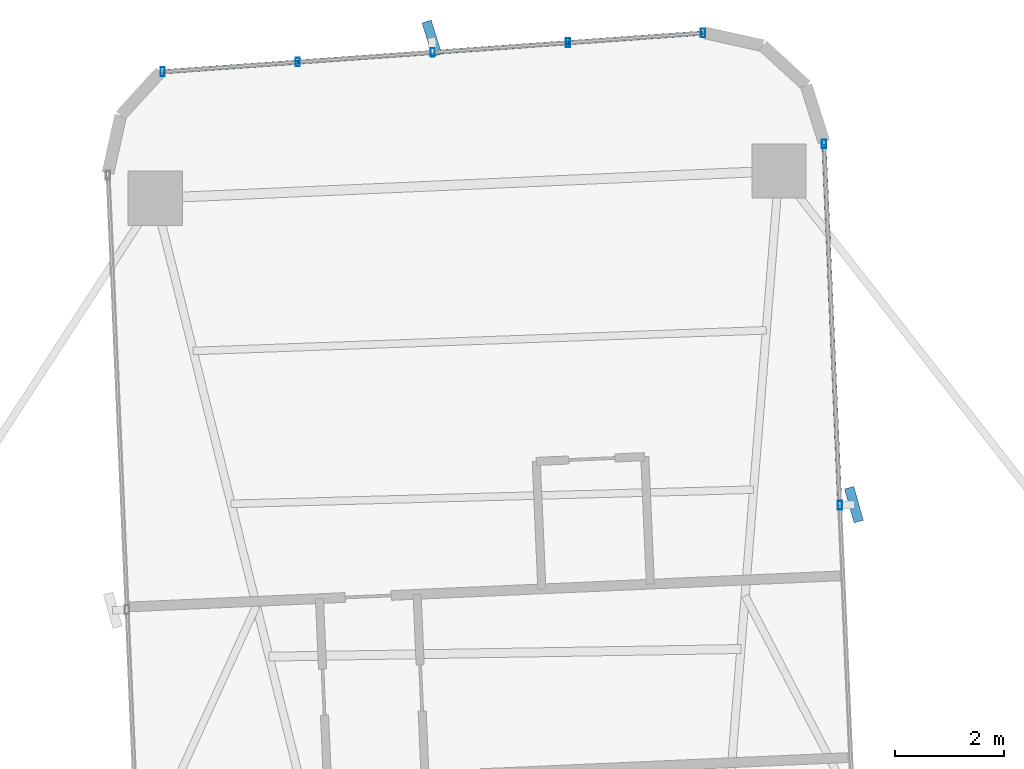
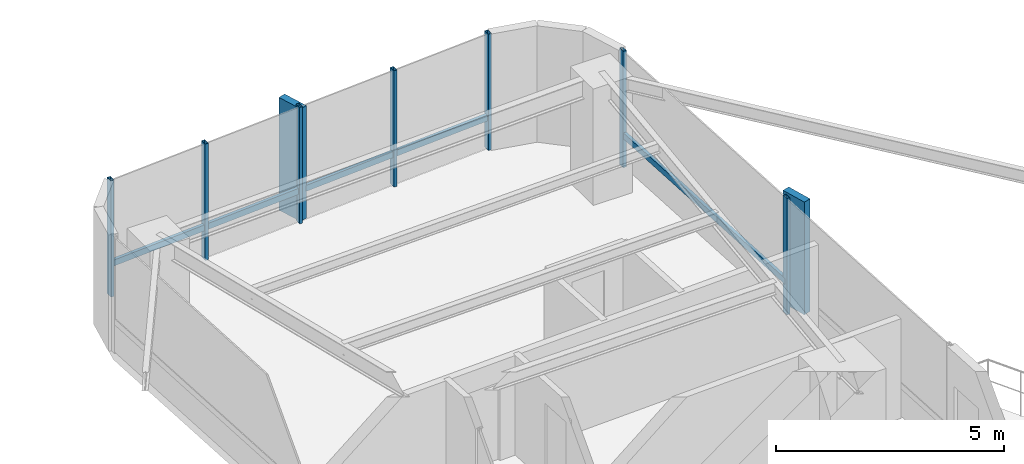
# One storey, part 19 of 26: 14 members, 2 elements without a shape of their own.
"""IFC4 building model written with IfcOpenShell, lengths in metres."""

from ifc_helpers import new_model, si_unit, direction, frame, origin, origin_2d, place, context, subcontext, project, spatial, rectangle, hollow_rectangle, extrude, source, transform, mapped, material, material_profile, profile_set, type_object, element, aggregate, save


model = new_model("IFC4")

# Units and contexts
model_context = context("Model", 3, precision=1e-05, world=origin(), true_north=direction((0.0, 1.0)))
body_context = subcontext(model_context, "Body", "Model", "MODEL_VIEW")
ifc_project = project(units=[si_unit("LENGTHUNIT", "METRE"), si_unit("AREAUNIT", "SQUARE_METRE"), si_unit("VOLUMEUNIT", "CUBIC_METRE"), si_unit("PLANEANGLEUNIT", "RADIAN"), si_unit("MASSUNIT", "GRAM", prefix="KILO")], contexts=[model_context])

# Site, building, storey
site_placement = place(None, origin())
site = spatial("IfcSite", under=ifc_project, at=site_placement, CompositionType="ELEMENT")
building_placement = place(site_placement, origin())
building = spatial("IfcBuilding", under=site, at=building_placement, Name="Sahyath Konkavel Grand Hotel", CompositionType="ELEMENT")
storey_placement = place(building_placement, frame((0.0, 0.0, 86.85009765625)))
storey = spatial("IfcBuildingStorey", under=building, at=storey_placement, Name="L23", CompositionType="ELEMENT", Elevation=86.85009765625)

# Curtain wall, members
ifc_material_1 = material(Name="Anodised Bronze Aluminium & Low-E Glazing", Category="aluminium")
curtain_wall_type = type_object("IfcCurtainWallType", Name="CW-ZONE2", PredefinedType="NOTDEFINED", material=ifc_material_1)
curtain_wall_1_placement = place(storey_placement, origin())
curtain_wall_1 = element("IfcCurtainWall", 1, at=curtain_wall_1_placement, inside=storey, type_object=curtain_wall_type, Name="L23 Unitised Curtain Wall F8", PredefinedType="NOTDEFINED")
ifc_material_2 = material(Name="Anodised Bronze Aluminium", Category="aluminium")
ifc_material_profile_1 = material_profile(ifc_material_2, hollow_rectangle(XDim=0.080078125, YDim=0.159912109375, WallThickness=0.006103515625, at=origin_2d()), Name="RHS 160x80x6")
ifc_profile_set_1 = profile_set([ifc_material_profile_1], Name="Anodised Bronze Aluminium")
member_type_1 = type_object("IfcMemberType", Name="CW-MUL-160", PredefinedType="MULLION", material=ifc_profile_set_1)
shared_shape_1 = source(origin(), body_context, "Body", "SweptSolid", [
    extrude(hollow_rectangle(XDim=0.080078125, YDim=0.159912109375, WallThickness=0.006103515625, at=origin_2d()), origin(), (0.0, 0.0, 1.0), 3.10986328125),
])
member_1_placement = place(storey_placement, frame((5.895751953125, 16.272705078125, 0.0), z_axis=(0.0, 0.0, 1.0), x_axis=(1.0, 0.0, 0.0)))
member_1 = element("IfcMember", 2, at=member_1_placement, type_object=member_type_1, Name="L23 Curtain Wall Mullion F8-1", PredefinedType="MULLION", context=body_context, shape_type="MappedRepresentation", body=[
    mapped(shared_shape_1, transform((0.0, 0.0, 0.0), scale=1.0)),
])
member_2_placement = place(storey_placement, frame((5.605224609375, 22.92626953125, 0.0), z_axis=(0.0, 0.0, 1.0), x_axis=(1.0, 0.0, 0.0)))
member_2 = element("IfcMember", 3, at=member_2_placement, type_object=member_type_1, Name="L23 Curtain Wall Mullion F8-2", PredefinedType="MULLION", context=body_context, shape_type="MappedRepresentation", body=[
    mapped(shared_shape_1, transform((0.0, 0.0, 0.0), scale=1.0)),
])

curtain_wall_2_placement = place(storey_placement, origin())
curtain_wall_2 = element("IfcCurtainWall", 4, at=curtain_wall_2_placement, inside=storey, type_object=curtain_wall_type, Name="L23 Unitised Curtain Wall F12", PredefinedType="NOTDEFINED")
member_3_placement = place(storey_placement, frame((3.3740234375, 24.9697265625, 0.0), z_axis=(0.0, 0.0, 1.0), x_axis=(1.0, 0.0, 0.0)))
member_3 = element("IfcMember", 5, at=member_3_placement, type_object=member_type_1, Name="L23 Curtain Wall Mullion F12-0", PredefinedType="MULLION", context=body_context, shape_type="MappedRepresentation", body=[
    mapped(shared_shape_1, transform((0.0, 0.0, 0.0), scale=1.0)),
])
member_4_placement = place(storey_placement, frame((0.886962890625, 24.79150390625, 0.0), z_axis=(0.0, 0.0, 1.0), x_axis=(1.0, 0.0, 0.0)))
member_4 = element("IfcMember", 6, at=member_4_placement, type_object=member_type_1, Name="L23 Curtain Wall Mullion F12-1", PredefinedType="MULLION", context=body_context, shape_type="MappedRepresentation", body=[
    mapped(shared_shape_1, transform((0.0, 0.0, 0.0), scale=1.0)),
])
member_5_placement = place(storey_placement, frame((-1.60009765625, 24.61279296875, 0.0), z_axis=(0.0, 0.0, 1.0), x_axis=(1.0, 0.0, 0.0)))
member_5 = element("IfcMember", 7, at=member_5_placement, type_object=member_type_1, Name="L23 Curtain Wall Mullion F12-2", PredefinedType="MULLION", context=body_context, shape_type="MappedRepresentation", body=[
    mapped(shared_shape_1, transform((0.0, 0.0, 0.0), scale=1.0)),
])
member_6_placement = place(storey_placement, frame((-4.087158203125, 24.4345703125, 0.0), z_axis=(0.0, 0.0, 1.0), x_axis=(1.0, 0.0, 0.0)))
member_6 = element("IfcMember", 8, at=member_6_placement, type_object=member_type_1, Name="L23 Curtain Wall Mullion F12-3", PredefinedType="MULLION", context=body_context, shape_type="MappedRepresentation", body=[
    mapped(shared_shape_1, transform((0.0, 0.0, 0.0), scale=1.0)),
])
member_7_placement = place(storey_placement, frame((-6.57421875, 24.256103515625, 0.0), z_axis=(0.0, 0.0, 1.0), x_axis=(1.0, 0.0, 0.0)))
member_7 = element("IfcMember", 9, at=member_7_placement, type_object=member_type_1, Name="L23 Curtain Wall Mullion F12-4", PredefinedType="MULLION", context=body_context, shape_type="MappedRepresentation", body=[
    mapped(shared_shape_1, transform((0.0, 0.0, 0.0), scale=1.0)),
])

# Member
ifc_material_3 = material(Name="Warm Buff Sandstone Cladding on Concrete C50/60", Category="masonry")
ifc_material_profile_2 = material_profile(ifc_material_3, rectangle(XDim=0.179931640625, YDim=0.64990234375, at=origin_2d()), Name="FIN 180x650")
ifc_profile_set_2 = profile_set([ifc_material_profile_2], Name="Warm Buff Sandstone Cladding on Concrete C50/60")
member_type_2 = type_object("IfcMemberType", Name="FIN-SANDSTONE-650", PredefinedType="MULLION", material=ifc_profile_set_2)
shared_shape_2 = source(origin(), body_context, "Body", "SweptSolid", [
    extrude(rectangle(XDim=0.179931640625, YDim=0.64990234375, at=origin_2d()), origin(), (0.0, 0.0, 1.0), 3.010009765625),
])
member_8_placement = place(storey_placement, frame((6.155517578125, 16.283935546875, 0.0498046875), z_axis=(0.0, 0.0, 1.0), x_axis=(0.962360427228, 0.271776393577, 0.0)))
member_8 = element("IfcMember", 10, at=member_8_placement, type_object=member_type_2, Name="L23 Sandstone Vertical Solar Fin FIN F8-1", PredefinedType="MULLION", context=body_context, shape_type="MappedRepresentation", body=[
    mapped(shared_shape_2, transform((0.0, 0.0, 0.0), scale=1.0)),
])

member_9_placement = place(storey_placement, frame((-1.61865234375, 24.872314453125, 0.0498046875), z_axis=(0.0, 0.0, 1.0), x_axis=(0.954812686667, 0.297208232354, 0.0)))
member_9 = element("IfcMember", 11, at=member_9_placement, type_object=member_type_2, Name="L23 Sandstone Vertical Solar Fin FIN F12-2", PredefinedType="MULLION", context=body_context, shape_type="MappedRepresentation", body=[
    mapped(shared_shape_2, transform((0.0, 0.0, 0.0), scale=1.0)),
])

ifc_material_profile_3 = material_profile(ifc_material_2, hollow_rectangle(XDim=0.080078125, YDim=0.159912109375, WallThickness=0.006103515625, at=origin_2d()), Name="RHS 160x80x6")
ifc_profile_set_3 = profile_set([ifc_material_profile_3], Name="Anodised Bronze Aluminium")
member_type_3 = type_object("IfcMemberType", Name="CW-TRN-160", PredefinedType="USERDEFINED", material=ifc_profile_set_3)
shared_shape_3 = source(origin(), body_context, "Body", "SweptSolid", [
    extrude(hollow_rectangle(XDim=0.080078125, YDim=0.159912109375, WallThickness=0.006103515625, at=origin_2d()), origin(), (0.0, 0.0, 1.0), 2.493408203125),
])
member_10_placement = place(storey_placement, frame((3.3740234375, 24.9697265625, 0.849853515625), z_axis=(-0.997442271688, -0.071476672066, 0.0), x_axis=(0.071476672066, -0.997442271688, 0.0)))
member_10 = element("IfcMember", 12, at=member_10_placement, type_object=member_type_3, Name="L23 Curtain Wall Transom F12-0-spandrel", ObjectType="TRANSOM", PredefinedType="USERDEFINED", context=body_context, shape_type="MappedRepresentation", body=[
    mapped(shared_shape_3, transform((0.0, 0.0, 0.0), scale=1.0)),
])

member_11_placement = place(storey_placement, frame((0.886962890625, 24.79150390625, 0.849853515625), z_axis=(-0.997428291631, -0.071671494009, 0.0), x_axis=(0.071671494009, -0.997428291631, 0.0)))
member_11 = element("IfcMember", 13, at=member_11_placement, type_object=member_type_3, Name="L23 Curtain Wall Transom F12-1-spandrel", ObjectType="TRANSOM", PredefinedType="USERDEFINED", context=body_context, shape_type="MappedRepresentation", body=[
    mapped(shared_shape_3, transform((0.0, 0.0, 0.0), scale=1.0)),
])

member_12_placement = place(storey_placement, frame((-1.60009765625, 24.61279296875, 0.849853515625), z_axis=(-0.997442271688, -0.071476672066, 0.0), x_axis=(0.071476672066, -0.997442271688, 0.0)))
member_12 = element("IfcMember", 14, at=member_12_placement, type_object=member_type_3, Name="L23 Curtain Wall Transom F12-2-spandrel", ObjectType="TRANSOM", PredefinedType="USERDEFINED", context=body_context, shape_type="MappedRepresentation", body=[
    mapped(shared_shape_3, transform((0.0, 0.0, 0.0), scale=1.0)),
])

member_13_placement = place(storey_placement, frame((-4.087158203125, 24.4345703125, 0.849853515625), z_axis=(-0.997435286367, -0.071574084062, 0.0), x_axis=(0.071574084062, -0.997435286367, 0.0)))
member_13 = element("IfcMember", 15, at=member_13_placement, type_object=member_type_3, Name="L23 Curtain Wall Transom F12-3-spandrel", ObjectType="TRANSOM", PredefinedType="USERDEFINED", context=body_context, shape_type="MappedRepresentation", body=[
    mapped(shared_shape_3, transform((0.0, 0.0, 0.0), scale=1.0)),
])

aggregate(curtain_wall_2, [member_3, member_4, member_5, member_9, member_6, member_7, member_10, member_11, member_12, member_13])

shared_shape_4 = source(origin(), body_context, "Body", "SweptSolid", [
    extrude(hollow_rectangle(XDim=0.080078125, YDim=0.159912109375, WallThickness=0.006103515625, at=origin_2d()), origin(), (0.0, 0.0, 1.0), 6.659912109375),
])
member_14_placement = place(storey_placement, frame((5.895751953125, 16.272705078125, 0.849853515625), z_axis=(-0.043623350741, 0.999048048529, 0.0), x_axis=(-0.999048048529, -0.043623350741, 0.0)))
member_14 = element("IfcMember", 16, at=member_14_placement, type_object=member_type_3, Name="L23 Curtain Wall Transom F8-1-spandrel", ObjectType="TRANSOM", PredefinedType="USERDEFINED", context=body_context, shape_type="MappedRepresentation", body=[
    mapped(shared_shape_4, transform((0.0, 0.0, 0.0), scale=1.0)),
])

aggregate(curtain_wall_1, [member_1, member_8, member_2, member_14])

save(model, "model.ifc")
